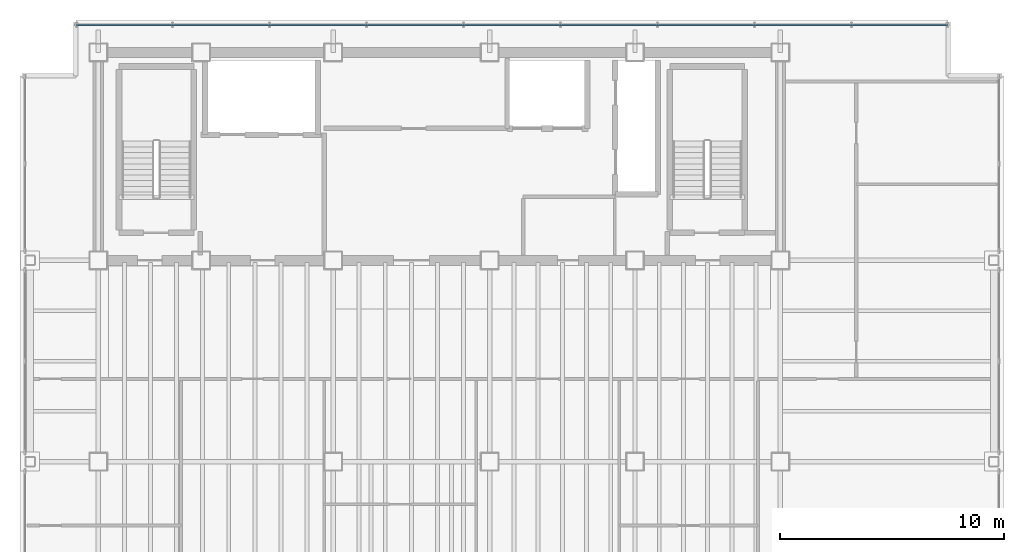
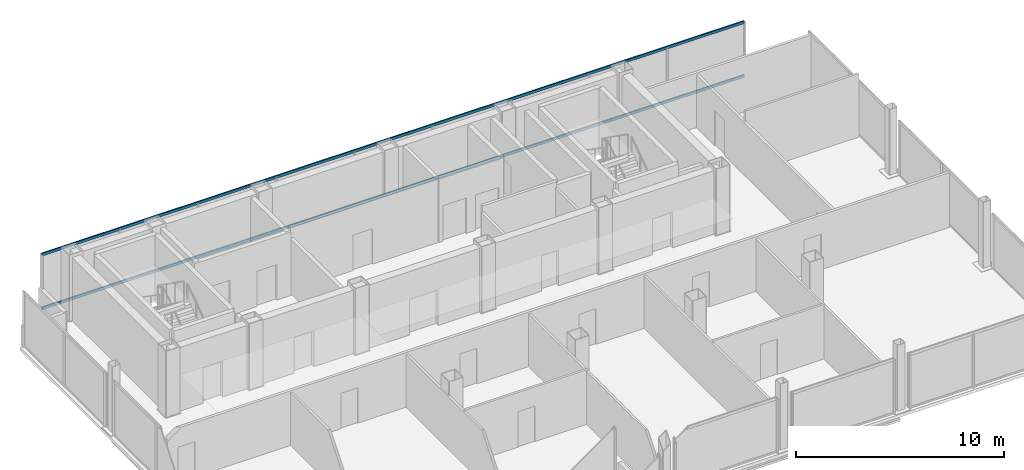
# One storey, part 8 of 15: 2 members, 1 element without a shape of its own.
"""IFC4 building model written with IfcOpenShell, lengths in metres."""

from ifc_helpers import new_model, si_unit, direction, frame, origin, origin_2d, place, context, subcontext, project, spatial, hollow_rectangle, extrude, material, material_profile, profile_set, type_object, element, aggregate, save


model = new_model("IFC4")

# Units and contexts
model_context = context("Model", 3, precision=1e-05, world=origin(), true_north=direction((0.0, 1.0)))
body_context = subcontext(model_context, "Body", "Model", "MODEL_VIEW")
ifc_project = project(units=[si_unit("LENGTHUNIT", "METRE"), si_unit("AREAUNIT", "SQUARE_METRE"), si_unit("VOLUMEUNIT", "CUBIC_METRE"), si_unit("PLANEANGLEUNIT", "RADIAN"), si_unit("MASSUNIT", "GRAM", prefix="KILO")], contexts=[model_context])

# Site, building, storey
site_placement = place(None, origin())
site = spatial("IfcSite", under=ifc_project, at=site_placement, CompositionType="ELEMENT")
building_placement = place(site_placement, origin())
building = spatial("IfcBuilding", under=site, at=building_placement, Name="Noeulbin Bourse Tower", CompositionType="ELEMENT")
storey_placement = place(building_placement, frame((0.0, 0.0, 218.89990234375)))
storey = spatial("IfcBuildingStorey", under=building, at=storey_placement, Name="L54", CompositionType="ELEMENT", Elevation=218.89990234375)

# Curtain wall, members
ifc_material_1 = material(Name="High-Selectivity Low-Iron Glazing", Category="glass")
curtain_wall_type = type_object("IfcCurtainWallType", Name="CW-SYS-4", PredefinedType="NOTDEFINED", material=ifc_material_1)
curtain_wall_placement = place(storey_placement, origin())
curtain_wall = element("IfcCurtainWall", 1, at=curtain_wall_placement, inside=storey, type_object=curtain_wall_type, Name="Unitised Curtain Wall CW-L54-N", PredefinedType="NOTDEFINED")
ifc_material_2 = material(Name="Anodised Aluminium 6063-T6", Category="aluminium")
ifc_material_profile = material_profile(ifc_material_2, hollow_rectangle(XDim=0.074951171875, YDim=0.159912109375, WallThickness=0.0048828125, InnerFilletRadius=0.00244140625, OuterFilletRadius=0.0048828125, at=origin_2d()), Name="ALU-TRAN-75x160x5", Category="LoadBearing")
ifc_profile_set = profile_set([ifc_material_profile], Name="Anodised Aluminium 6063-T6")
member_type = type_object("IfcMemberType", Name="CW-SYS-4-TRN", PredefinedType="USERDEFINED", material=ifc_profile_set)
member_1_placement = place(storey_placement, frame((12.530029296875, 39.530029296875, 0.010009765625), z_axis=(1.0, 0.0, 0.0), x_axis=(0.0, 1.0, 0.0)))
member_1 = element("IfcMember", 2, at=member_1_placement, type_object=member_type, Name="Curtain Wall Transom CW-L54-N-T00", ObjectType="TRANSOM", PredefinedType="USERDEFINED", context=body_context, shape_type="SweptSolid", body=[
    extrude(hollow_rectangle(XDim=0.074951171875, YDim=0.159912109375, WallThickness=0.0048828125, InnerFilletRadius=0.00244140625, OuterFilletRadius=0.0048828125, at=origin_2d()), origin(), (0.0, 0.0, 1.0), 38.93994140625),
])
member_2_placement = place(storey_placement, frame((12.530029296875, 39.530029296875, 3.170166015625), z_axis=(1.0, 0.0, 0.0), x_axis=(0.0, 1.0, 0.0)))
member_2 = element("IfcMember", 3, at=member_2_placement, type_object=member_type, Name="Curtain Wall Transom CW-L54-N-T01", ObjectType="TRANSOM", PredefinedType="USERDEFINED", context=body_context, shape_type="SweptSolid", body=[
    extrude(hollow_rectangle(XDim=0.074951171875, YDim=0.159912109375, WallThickness=0.0048828125, InnerFilletRadius=0.00244140625, OuterFilletRadius=0.0048828125, at=origin_2d()), origin(), (0.0, 0.0, 1.0), 38.93994140625),
])
aggregate(curtain_wall, [member_1, member_2])

save(model, "model.ifc")
